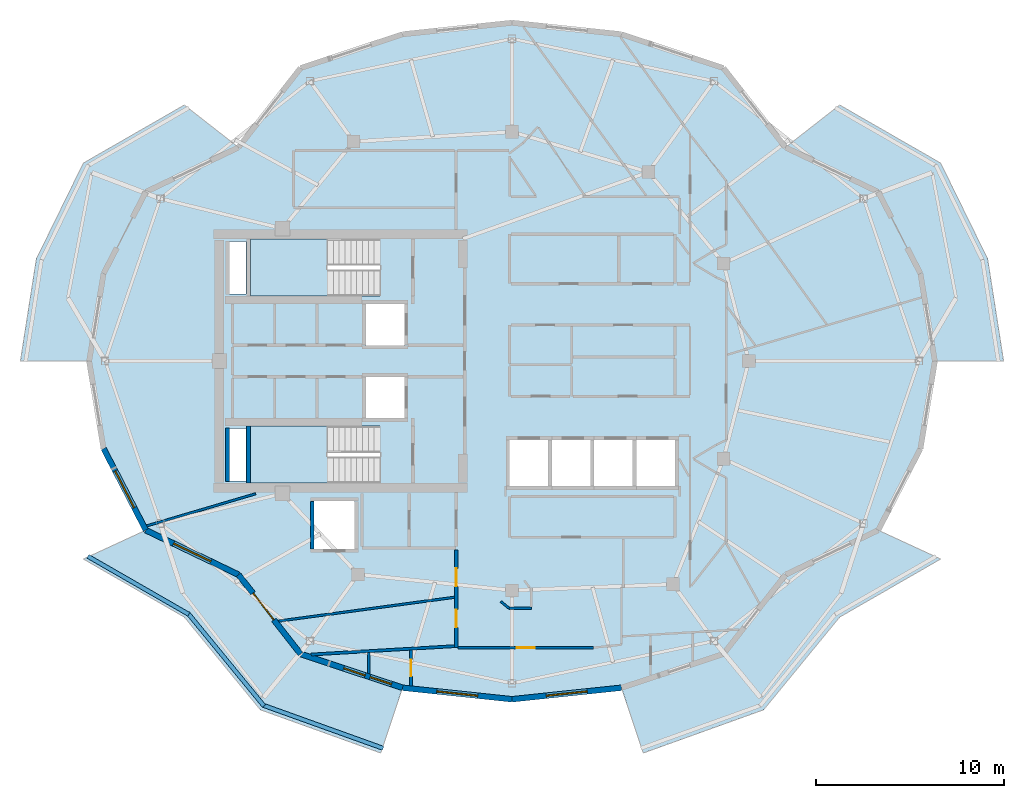
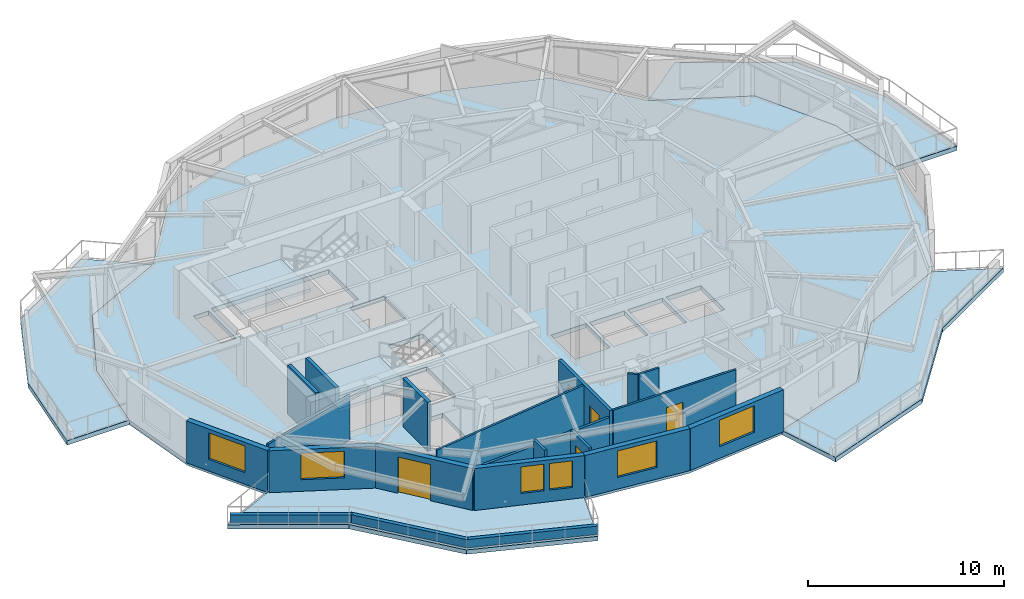
# One storey, part 3 of 11: 21 walls, 7 slabs, 6 windows, 5 doors, 11 openings, 2 elements without a shape of their own.
"""IFC4 building model written with IfcOpenShell, lengths in metres."""

from ifc_helpers import new_model, si_unit, direction, frame, frame_2d, origin, place, context, subcontext, project, spatial, polyline, rectangle, outline, extrude, material, layer, layer_set, type_object, element, fill, aggregate, save


model = new_model("IFC4")

# Units and contexts
model_context = context("Model", 3, precision=1e-05, world=origin(), true_north=direction((0.0, 1.0)))
body_context = subcontext(model_context, "Body", "Model", "MODEL_VIEW")
ifc_project = project(units=[si_unit("LENGTHUNIT", "METRE"), si_unit("AREAUNIT", "SQUARE_METRE"), si_unit("VOLUMEUNIT", "CUBIC_METRE"), si_unit("PLANEANGLEUNIT", "RADIAN"), si_unit("MASSUNIT", "GRAM", prefix="KILO")], contexts=[model_context])

# Site, building, storey
site_placement = place(None, origin())
site = spatial("IfcSite", under=ifc_project, at=site_placement, CompositionType="ELEMENT")
building_placement = place(site_placement, origin())
building = spatial("IfcBuilding", under=site, at=building_placement, Name="Kolvaren Gate Tower and Convention Centre", CompositionType="ELEMENT")
storey_placement = place(building_placement, frame((0.0, 0.0, 242.60009765625)))
storey = spatial("IfcBuildingStorey", under=building, at=storey_placement, Name="L65", CompositionType="ELEMENT", Elevation=242.60009765625)

# Slabs
ifc_material_1 = material(Name="Concrete C50/60", Category="concrete")
ifc_layer_1 = layer(ifc_material_1, 0.27001953125)
ifc_layer_set_1 = layer_set([ifc_layer_1], Name="Concrete C50/60")
slab_type_1 = type_object("IfcSlabType", Name="STR-SL-BALC-270", PredefinedType="FLOOR", material=ifc_layer_set_1)
slab_1_placement = place(storey_placement, frame((0.0, 0.0, -0.27001953125)))
element("IfcSlab", 1, at=slab_1_placement, inside=storey, type_object=slab_type_1, Name="Tower L65 Planted Balcony Terrace Slab 1 (East)", PredefinedType="FLOOR", context=body_context, shape_type="SweptSolid", body=[
    extrude(outline(polyline([(52.625, 27.0), (51.8583984375, 31.65869140625), (49.610595703125, 36.0), (44.67724609375, 38.370361328125), (47.561279296875, 40.623779296875), (52.933349609375, 37.53466796875), (55.43701171875, 32.42578125), (56.284912109375, 27.0), (52.625, 27.0)])), origin(), (0.0, 0.0, 1.0), 0.27001953125),
])
slab_2_placement = place(storey_placement, frame((0.0, 0.0, -0.27001953125)))
element("IfcSlab", 2, at=slab_2_placement, inside=storey, type_object=slab_type_1, Name="Tower L65 Planted Balcony Terrace Slab 2 (West)", PredefinedType="FLOOR", context=body_context, shape_type="SweptSolid", body=[
    extrude(outline(polyline([(15.57275390625, 38.370361328125), (10.639404296875, 36.0), (8.3916015625, 31.65869140625), (7.625, 27.0), (3.965087890625, 27.0), (4.81298828125, 32.42578125), (7.316650390625, 37.53466796875), (12.688720703125, 40.623779296875), (15.57275390625, 38.370361328125)])), origin(), (0.0, 0.0, 1.0), 0.27001953125),
])
slab_3_placement = place(storey_placement, frame((0.0, 0.0, -0.27001953125)))
element("IfcSlab", 3, at=slab_3_placement, inside=storey, type_object=slab_type_1, Name="Tower L65 Planted Balcony Terrace Slab 3 (South)", PredefinedType="FLOOR", context=body_context, shape_type="SweptSolid", body=[
    extrude(outline(polyline([(10.639404296875, 18.0), (15.57275390625, 15.629638671875), (18.875, 11.41162109375), (24.301513671875, 9.61328125), (23.13916015625, 6.142822265625), (16.733154296875, 8.443603515625), (12.688720703125, 13.376220703125), (7.316650390625, 16.46533203125), (10.639404296875, 18.0)])), origin(), (0.0, 0.0, 1.0), 0.27001953125),
])
slab_4_placement = place(storey_placement, frame((0.0, 0.0, -0.27001953125)))
element("IfcSlab", 4, at=slab_4_placement, inside=storey, type_object=slab_type_1, Name="Tower L65 Planted Balcony Terrace Slab 4 (South)", PredefinedType="FLOOR", context=body_context, shape_type="SweptSolid", body=[
    extrude(outline(polyline([(35.948486328125, 9.61328125), (41.375, 11.41162109375), (44.67724609375, 15.629638671875), (49.610595703125, 18.0), (52.933349609375, 16.46533203125), (47.561279296875, 13.376220703125), (43.516845703125, 8.443603515625), (37.11083984375, 6.142822265625), (35.948486328125, 9.61328125)])), origin(), (0.0, 0.0, 1.0), 0.27001953125),
])
ifc_material_2 = material(Name="Concrete C40/50", Category="concrete")
ifc_layer_2 = layer(ifc_material_2, 0.27001953125)
ifc_layer_set_2 = layer_set([ifc_layer_2], Name="Concrete C40/50")
slab_type_2 = type_object("IfcSlabType", Name="STR-SL-FLR-270", PredefinedType="FLOOR", material=ifc_layer_set_2)
slab_5_placement = place(storey_placement, frame((0.0, 0.0, -0.27001953125)))
element("IfcSlab", 5, at=slab_5_placement, inside=storey, type_object=slab_type_2, Name="Tower L65 Structural Floor Slab", PredefinedType="FLOOR", context=body_context, shape_type="SweptSolid", body=[
    extrude(outline(polyline([(52.625, 27.0), (51.8583984375, 31.65869140625), (49.610595703125, 36.0), (44.67724609375, 38.370361328125), (41.375, 42.58837890625), (35.948486328125, 44.38671875), (30.125, 45.0), (24.301513671875, 44.38671875), (18.875, 42.58837890625), (15.57275390625, 38.370361328125), (10.639404296875, 36.0), (8.3916015625, 31.65869140625), (7.625, 27.0), (8.3916015625, 22.34130859375), (10.639404296875, 18.0), (15.57275390625, 15.629638671875), (18.875, 11.41162109375), (24.301513671875, 9.61328125), (30.125, 9.0), (35.948486328125, 9.61328125), (41.375, 11.41162109375), (44.67724609375, 15.629638671875), (49.610595703125, 18.0), (51.8583984375, 22.34130859375), (52.625, 27.0)]), holes=[polyline([(36.75, 20.35009765625), (36.75, 22.800048828125), (38.800048828125, 22.800048828125), (38.800048828125, 20.35009765625), (36.75, 20.35009765625)]), polyline([(36.550048828125, 20.35009765625), (34.5, 20.35009765625), (34.5, 22.800048828125), (36.550048828125, 22.800048828125), (36.550048828125, 20.35009765625)]), polyline([(32.25, 20.35009765625), (32.25, 22.800048828125), (34.300048828125, 22.800048828125), (34.300048828125, 20.35009765625), (32.25, 20.35009765625)]), polyline([(30.0, 20.35009765625), (30.0, 22.800048828125), (32.050048828125, 22.800048828125), (32.050048828125, 20.35009765625), (30.0, 20.35009765625)]), polyline([(22.35009765625, 23.9599609375), (22.35009765625, 26.159912109375), (24.39990234375, 26.159912109375), (24.39990234375, 23.9599609375), (22.35009765625, 23.9599609375)]), polyline([(22.35009765625, 27.840087890625), (22.35009765625, 30.0400390625), (24.39990234375, 30.0400390625), (24.39990234375, 27.840087890625), (22.35009765625, 27.840087890625)]), polyline([(16.199951171875, 23.5400390625), (23.10009765625, 23.5400390625), (23.10009765625, 20.5), (16.199951171875, 20.5), (16.199951171875, 23.5400390625)]), polyline([(16.199951171875, 33.5), (23.10009765625, 33.5), (23.10009765625, 30.4599609375), (16.199951171875, 30.4599609375), (16.199951171875, 33.5)]), polyline([(21.75, 17.0), (19.60009765625, 17.0), (19.60009765625, 19.550048828125), (21.75, 19.550048828125), (21.75, 17.0)]), polyline([(15.080078125, 30.580078125), (15.080078125, 33.3701171875), (15.969970703125, 33.3701171875), (15.969970703125, 30.580078125), (15.080078125, 30.580078125)]), polyline([(15.969970703125, 20.6298828125), (15.080078125, 20.6298828125), (15.080078125, 23.419921875), (15.969970703125, 23.419921875), (15.969970703125, 20.6298828125)])]), origin(), (0.0, 0.0, 1.0), 0.27001953125),
])

# Stair, slab
stair_type = type_object("IfcStairType", Name="STR-STAIR-CORE", PredefinedType="HALF_TURN_STAIR", material=ifc_material_1)
stair_1_placement = place(storey_placement, origin())
stair_1 = element("IfcStair", 6, at=stair_1_placement, inside=storey, type_object=stair_type, Name="L65 Tower North Exit Stair ST-T1", PredefinedType="HALF_TURN_STAIR")
ifc_layer_3 = layer(ifc_material_1, 0.199951171875)
ifc_layer_set_3 = layer_set([ifc_layer_3], Name="Concrete C50/60")
slab_type_3 = type_object("IfcSlabType", Name="STR-SL-LAND-200", PredefinedType="LANDING", material=ifc_layer_set_3)
slab_6_placement = place(storey_placement, frame((0.0, 0.0, 1.449951171875)))
slab_6 = element("IfcSlab", 7, at=slab_6_placement, type_object=slab_type_3, Name="ST-T1 landing 1", PredefinedType="LANDING", context=body_context, shape_type="SweptSolid", body=[
    extrude(outline(polyline([(20.31005859375, 33.5), (16.199951171875, 33.5), (16.199951171875, 30.4599609375), (20.31005859375, 30.4599609375), (20.31005859375, 33.5)])), origin(), (0.0, 0.0, 1.0), 0.199951171875),
])
aggregate(stair_1, [slab_6])

stair_2_placement = place(storey_placement, origin())
stair_2 = element("IfcStair", 8, at=stair_2_placement, inside=storey, type_object=stair_type, Name="L65 Tower South Exit Stair ST-T2", PredefinedType="HALF_TURN_STAIR")
slab_7_placement = place(storey_placement, frame((0.0, 0.0, 1.449951171875)))
slab_7 = element("IfcSlab", 9, at=slab_7_placement, type_object=slab_type_3, Name="ST-T2 landing 1", PredefinedType="LANDING", context=body_context, shape_type="SweptSolid", body=[
    extrude(outline(polyline([(20.31005859375, 23.5400390625), (16.199951171875, 23.5400390625), (16.199951171875, 20.5), (20.31005859375, 20.5), (20.31005859375, 23.5400390625)])), origin(), (0.0, 0.0, 1.0), 0.199951171875),
])
aggregate(stair_2, [slab_7])

# Wall, openings, doors
ifc_material_3 = material(Name="Autoclaved Aerated Masonry Blockwork Class 4 (4.0 MPa)", Category="masonry")
ifc_layer_4 = layer(ifc_material_3, 0.179931640625)
ifc_layer_set_4 = layer_set([ifc_layer_4], Name="Autoclaved Aerated Masonry Blockwork Class 4 (4.0 MPa)")
wall_type_1 = type_object("IfcWallType", Name="ARCH-WL-COMP-180", PredefinedType="SOLIDWALL", material=ifc_layer_set_4)
wall_1_placement = place(storey_placement, frame((27.14990234375, 11.75, 0.0), z_axis=(0.0, 0.0, 1.0), x_axis=(0.0, 1.0, 0.0)))
wall_1 = element("IfcWall", 10, at=wall_1_placement, inside=storey, type_object=wall_type_1, Name="Interior Partition WL-L65-INT-014", PredefinedType="SOLIDWALL", context=body_context, shape_type="SweptSolid", body=[
    extrude(rectangle(XDim=5.2080078125, YDim=0.179931640625, at=frame_2d((2.60400390625, 0.0))), origin(), (0.0, 0.0, 1.0), 3.02978515625),
])
opening_1_placement = place(wall_1_placement, frame((3.268798828125, 0.0, 0.0)))
opening_1 = element("IfcOpeningElement", 11, at=opening_1_placement, cuts=wall_1, Name="Opening DR-01", PredefinedType="OPENING", context=body_context, shape_type="SweptSolid", body=[
    extrude(rectangle(XDim=0.949951171875, YDim=2.10009765625, at=frame_2d((0.47509765625, 1.050048828125))), frame((0.0, 0.099853515625, 0.0), z_axis=(0.0, -1.0, 0.0), x_axis=(1.0, 0.0, 0.0)), (0.0, 0.0, 1.0), 0.199951171875),
])
opening_2_placement = place(wall_1_placement, frame((1.0771484375, 0.0, 0.0)))
opening_2 = element("IfcOpeningElement", 12, at=opening_2_placement, cuts=wall_1, Name="Opening DR-01", PredefinedType="OPENING", context=body_context, shape_type="SweptSolid", body=[
    extrude(rectangle(XDim=0.949951171875, YDim=2.10009765625, at=frame_2d((0.47509765625, 1.050048828125))), frame((0.0, 0.099853515625, 0.0), z_axis=(0.0, -1.0, 0.0), x_axis=(1.0, 0.0, 0.0)), (0.0, 0.0, 1.0), 0.199951171875),
])
ifc_material_4 = material(Name="Painted Architectural Steelwork ASTM A500 Grade C 345 MPa", Category="steel")
door_type_1 = type_object("IfcDoorType", Name="ARCH-DR-RISER-950", OperationType="SINGLE_SWING_RIGHT", PredefinedType="DOOR", material=ifc_material_4)
door_1_placement = place(opening_1_placement, origin())
door_1 = element("IfcDoor", 13, at=door_1_placement, inside=storey, type_object=door_type_1, Name="Resident Private Study Door", OperationType="SINGLE_SWING_LEFT", OverallHeight=2.10009765625, OverallWidth=0.949951171875, PredefinedType="DOOR", context=body_context, shape_type="SweptSolid", body=[
    extrude(rectangle(XDim=0.949951171875, YDim=2.10009765625, at=frame_2d((0.47509765625, 1.050048828125))), frame((0.0, 0.02490234375, 0.0), z_axis=(0.0, -1.0, 0.0), x_axis=(1.0, 0.0, 0.0)), (0.0, 0.0, 1.0), 0.050048828125),
])
fill(opening_1, door_1)
door_2_placement = place(opening_2_placement, origin())
door_2 = element("IfcDoor", 14, at=door_2_placement, inside=storey, type_object=door_type_1, Name="Resident Sommelier Tasting Pantry Door", OperationType="SINGLE_SWING_RIGHT", OverallHeight=2.10009765625, OverallWidth=0.949951171875, PredefinedType="DOOR", context=body_context, shape_type="SweptSolid", body=[
    extrude(rectangle(XDim=0.949951171875, YDim=2.10009765625, at=frame_2d((0.47509765625, 1.050048828125))), frame((0.0, 0.02490234375, 0.0), z_axis=(0.0, -1.0, 0.0), x_axis=(1.0, 0.0, 0.0)), (0.0, 0.0, 1.0), 0.050048828125),
])
fill(opening_2, door_2)

# Wall, opening, door
ifc_material_5 = material(Name="Fire-Rated Acoustic Gypsum Stud Partition", Category="gypsum")
ifc_layer_5 = layer(ifc_material_5, 0.1201171875)
ifc_layer_set_5 = layer_set([ifc_layer_5], Name="Fire-Rated Acoustic Gypsum Stud Partition")
wall_type_2 = type_object("IfcWallType", Name="ARCH-WL-PART-120", PredefinedType="PARTITIONING", material=ifc_layer_set_5)
wall_2_placement = place(storey_placement, frame((27.241943359375, 11.75, 0.0), z_axis=(0.0, 0.0, 1.0), x_axis=(1.0, 0.0, 0.0)))
wall_2 = element("IfcWall", 15, at=wall_2_placement, inside=storey, type_object=wall_type_2, Name="Interior Partition WL-L65-INT-064", PredefinedType="PARTITIONING", context=body_context, shape_type="SweptSolid", body=[
    extrude(rectangle(XDim=7.22607421875, YDim=0.1201171875, at=frame_2d((3.613037109375, 0.0))), origin(), (0.0, 0.0, 1.0), 3.02978515625),
])
opening_3_placement = place(wall_2_placement, frame((3.137939453125, 0.0, 0.0)))
opening_3 = element("IfcOpeningElement", 16, at=opening_3_placement, cuts=wall_2, Name="Opening DR-01", PredefinedType="OPENING", context=body_context, shape_type="SweptSolid", body=[
    extrude(rectangle(XDim=0.949951171875, YDim=2.10009765625, at=frame_2d((0.47509765625, 1.050048828125))), frame((0.0, 0.070068359375, 0.0), z_axis=(0.0, -1.0, 0.0), x_axis=(1.0, 0.0, 0.0)), (0.0, 0.0, 1.0), 0.14013671875),
])
door_3_placement = place(opening_3_placement, origin())
door_3 = element("IfcDoor", 17, at=door_3_placement, inside=storey, type_object=door_type_1, Name="Studio Apartment (APT-L65-01) Door", OperationType="SINGLE_SWING_LEFT", OverallHeight=2.10009765625, OverallWidth=0.949951171875, PredefinedType="DOOR", context=body_context, shape_type="SweptSolid", body=[
    extrude(rectangle(XDim=0.949951171875, YDim=2.10009765625, at=frame_2d((0.47509765625, 1.050048828125))), frame((0.0, 0.02490234375, 0.0), z_axis=(0.0, -1.0, 0.0), x_axis=(1.0, 0.0, 0.0)), (0.0, 0.0, 1.0), 0.050048828125),
])
fill(opening_3, door_3)

# Walls
wall_3_placement = place(storey_placement, frame((29.9599609375, 13.85009765625, 0.0), z_axis=(0.0, 0.0, 1.0), x_axis=(1.0, 0.0, 0.0)))
element("IfcWall", 18, at=wall_3_placement, inside=storey, type_object=wall_type_2, Name="Interior Partition WL-L65-INT-066", PredefinedType="PARTITIONING", context=body_context, shape_type="SweptSolid", body=[
    extrude(rectangle(XDim=1.18994140625, YDim=0.1201171875, at=frame_2d((0.594970703125, 0.0))), origin(), (0.0, 0.0, 1.0), 3.02978515625),
])
wall_4_placement = place(storey_placement, frame((29.531005859375, 14.2060546875, 0.0), z_axis=(0.0, 0.0, 1.0), x_axis=(0.7695479554, -0.638589026166, 0.0)))
element("IfcWall", 19, at=wall_4_placement, inside=storey, type_object=wall_type_2, Name="Interior Partition WL-L65-INT-069", PredefinedType="PARTITIONING", context=body_context, shape_type="SweptSolid", body=[
    extrude(rectangle(XDim=0.557373046875, YDim=0.1201171875, at=frame_2d((0.27880859375, 0.0))), origin(), (0.0, 0.0, 1.0), 3.02978515625),
])
wall_5_placement = place(storey_placement, frame((10.691650390625, 18.229736328125, 0.0), z_axis=(0.0, 0.0, 1.0), x_axis=(0.959163130609, 0.282853475992, 0.0)))
element("IfcWall", 20, at=wall_5_placement, inside=storey, type_object=wall_type_2, Name="Interior Partition WL-L65-INT-070", PredefinedType="PARTITIONING", context=body_context, shape_type="SweptSolid", body=[
    extrude(rectangle(XDim=6.039306640625, YDim=0.1201171875, at=frame_2d((3.01953125, 0.0))), origin(), (0.0, 0.0, 1.0), 2.77001953125),
])
wall_6_placement = place(storey_placement, frame((17.697509765625, 13.162109375, 0.0), z_axis=(0.0, 0.0, 1.0), x_axis=(0.990958840374, 0.134166227808, 0.0)))
element("IfcWall", 21, at=wall_6_placement, inside=storey, type_object=wall_type_2, Name="Interior Partition WL-L65-INT-072", PredefinedType="PARTITIONING", context=body_context, shape_type="SweptSolid", body=[
    extrude(rectangle(XDim=9.446044921875, YDim=0.1201171875, at=frame_2d((4.72314453125, 0.0))), origin(), (0.0, 0.0, 1.0), 3.02978515625),
])
ifc_material_6 = material(Name="Piedmont Cream Honed Limestone Cladding", Category="masonry")
ifc_layer_6 = layer(ifc_material_6, 0.219970703125)
ifc_layer_set_6 = layer_set([ifc_layer_6], Name="Piedmont Cream Honed Limestone Cladding")
wall_type_3 = type_object("IfcWallType", Name="ARCH-WL-PLANTER-220", PredefinedType="PARAPET", material=ifc_layer_set_6)
wall_7_placement = place(storey_placement, frame((7.556884765625, 16.609375, 0.0), z_axis=(0.0, 0.0, 1.0), x_axis=(0.866901621005, -0.49847926687, 0.0)))
element("IfcWall", 22, at=wall_7_placement, inside=storey, type_object=wall_type_3, Name="Vertical-Forest Balcony Stone Planter Kerb PK-L65-3.1", PredefinedType="PARAPET", context=body_context, shape_type="SweptSolid", body=[
    extrude(rectangle(XDim=6.196533203125, YDim=0.219970703125, at=frame_2d((3.09814453125, 0.0))), origin(), (0.0, 0.0, 1.0), 0.52001953125),
])
wall_8_placement = place(storey_placement, frame((12.88232421875, 13.57861328125, 0.0), z_axis=(0.0, 0.0, 1.0), x_axis=(0.63407318032, -0.77327304492, 0.0)))
element("IfcWall", 23, at=wall_8_placement, inside=storey, type_object=wall_type_3, Name="Vertical-Forest Balcony Stone Planter Kerb PK-L65-3.2", PredefinedType="PARAPET", context=body_context, shape_type="SweptSolid", body=[
    extrude(rectangle(XDim=6.37890625, YDim=0.219970703125, at=frame_2d((3.189453125, 0.0))), origin(), (0.0, 0.0, 1.0), 0.52001953125),
])
wall_9_placement = place(storey_placement, frame((16.86181640625, 8.6923828125, 0.0), z_axis=(0.0, 0.0, 1.0), x_axis=(0.941139090914, -0.338019543152, 0.0)))
element("IfcWall", 24, at=wall_9_placement, inside=storey, type_object=wall_type_3, Name="Vertical-Forest Balcony Stone Planter Kerb PK-L65-3.3", PredefinedType="PARAPET", context=body_context, shape_type="SweptSolid", body=[
    extrude(rectangle(XDim=6.806640625, YDim=0.219970703125, at=frame_2d((3.4033203125, 0.0))), origin(), (0.0, 0.0, 1.0), 0.52001953125),
])
ifc_layer_7 = layer(ifc_material_3, 0.199951171875)
ifc_layer_set_7 = layer_set([ifc_layer_7], Name="Autoclaved Aerated Masonry Blockwork Class 4 (4.0 MPa)")
wall_type_4 = type_object("IfcWallType", Name="ARCH-WL-SHAFT-200", PredefinedType="SOLIDWALL", material=ifc_layer_set_7)
wall_10_placement = place(storey_placement, frame((19.5, 17.010009765625, 0.0), z_axis=(0.0, 0.0, 1.0), x_axis=(0.0, 1.0, 0.0)))
element("IfcWall", 25, at=wall_10_placement, inside=storey, type_object=wall_type_4, Name="Elevator SV-01 L65 Fire Shaft Wall W", PredefinedType="SOLIDWALL", context=body_context, shape_type="SweptSolid", body=[
    extrude(rectangle(XDim=2.530029296875, YDim=0.199951171875, at=frame_2d((1.26513671875, 0.0))), origin(), (0.0, 0.0, 1.0), 3.02978515625),
])
wall_11_placement = place(storey_placement, frame((14.989990234375, 20.60009765625, 0.0), z_axis=(0.0, 0.0, 1.0), x_axis=(0.0, 1.0, 0.0)))
element("IfcWall", 26, at=wall_11_placement, inside=storey, type_object=wall_type_4, Name="Vertical Shaft MPR L65 EI-120 Enclosure Wall W", PredefinedType="SOLIDWALL", context=body_context, shape_type="SweptSolid", body=[
    extrude(rectangle(XDim=2.849853515625, YDim=0.199951171875, at=frame_2d((1.4248046875, 0.0))), origin(), (0.0, 0.0, 1.0), 3.02978515625),
])

# Wall, opening, window
ifc_layer_8 = layer(ifc_material_6, 0.300048828125)
ifc_layer_set_8 = layer_set([ifc_layer_8], Name="Piedmont Cream Honed Limestone Cladding")
wall_type_5 = type_object("IfcWallType", Name="ARCH-WL-STONE-300", PredefinedType="SOLIDWALL", material=ifc_layer_set_8)
wall_12_placement = place(storey_placement, frame((8.3916015625, 22.34130859375, 0.0), z_axis=(0.0, 0.0, 1.0), x_axis=(0.459793771602, -0.888025724625, 0.0)))
wall_12 = element("IfcWall", 27, at=wall_12_placement, inside=storey, type_object=wall_type_5, Name="Tower L65 Honed Stone Spandrel Wall EW-13", PredefinedType="SOLIDWALL", context=body_context, shape_type="SweptSolid", body=[
    extrude(rectangle(XDim=4.888671875, YDim=0.300048828125, at=frame_2d((2.4443359375, 0.0))), origin(), (0.0, 0.0, 1.0), 2.60498046875),
])
opening_4_placement = place(wall_12_placement, frame((1.343994140625, 0.0, 0.719970703125)))
opening_4 = element("IfcOpeningElement", 28, at=opening_4_placement, cuts=wall_12, Name="Opening W-03", PredefinedType="OPENING", context=body_context, shape_type="SweptSolid", body=[
    extrude(rectangle(XDim=2.199951171875, YDim=1.64990234375, at=frame_2d((1.10009765625, 0.824951171875))), frame((0.0, 0.159912109375, 0.0), z_axis=(0.0, -1.0, 0.0), x_axis=(1.0, 0.0, 0.0)), (0.0, 0.0, 1.0), 0.320068359375),
])
ifc_material_7 = material(Name="Low-E Triple Insulated Glazing Unit 44 mm", Category="glass")
window_type_1 = type_object("IfcWindowType", Name="ARCH-WN-RES-2200", PartitioningType="SINGLE_PANEL", PredefinedType="WINDOW", material=ifc_material_7)
window_1_placement = place(opening_4_placement, origin())
window_1 = element("IfcWindow", 29, at=window_1_placement, inside=storey, type_object=window_type_1, Name="Tower L65 Punched Stone Facade Window W-13", OverallHeight=1.64990234375, OverallWidth=2.199951171875, PartitioningType="SINGLE_PANEL", PredefinedType="WINDOW", context=body_context, shape_type="SweptSolid", body=[
    extrude(rectangle(XDim=2.199951171875, YDim=1.64990234375, at=frame_2d((1.10009765625, 0.824951171875))), frame((0.0, 0.030029296875, 0.0), z_axis=(0.0, -1.0, 0.0), x_axis=(1.0, 0.0, 0.0)), (0.0, 0.0, 1.0), 0.06005859375),
])
fill(opening_4, window_1)

wall_13_placement = place(storey_placement, frame((10.639404296875, 18.0, 0.0), z_axis=(0.0, 0.0, 1.0), x_axis=(0.901355238351, -0.433080517106, 0.0)))
wall_13 = element("IfcWall", 30, at=wall_13_placement, inside=storey, type_object=wall_type_5, Name="Tower L65 Honed Stone Spandrel Wall EW-14", PredefinedType="SOLIDWALL", context=body_context, shape_type="SweptSolid", body=[
    extrude(rectangle(XDim=5.47314453125, YDim=0.300048828125, at=frame_2d((2.736572265625, 0.0))), origin(), (0.0, 0.0, 1.0), 2.60498046875),
])
opening_5_placement = place(wall_13_placement, frame((1.636962890625, 0.0, 0.719970703125)))
opening_5 = element("IfcOpeningElement", 31, at=opening_5_placement, cuts=wall_13, Name="Opening W-03", PredefinedType="OPENING", context=body_context, shape_type="SweptSolid", body=[
    extrude(rectangle(XDim=2.199951171875, YDim=1.64990234375, at=frame_2d((1.10009765625, 0.824951171875))), frame((0.0, 0.159912109375, 0.0), z_axis=(0.0, -1.0, 0.0), x_axis=(1.0, 0.0, 0.0)), (0.0, 0.0, 1.0), 0.320068359375),
])
window_2_placement = place(opening_5_placement, origin())
window_2 = element("IfcWindow", 32, at=window_2_placement, inside=storey, type_object=window_type_1, Name="Tower L65 Punched Stone Facade Window W-14", OverallHeight=1.64990234375, OverallWidth=2.199951171875, PartitioningType="SINGLE_PANEL", PredefinedType="WINDOW", context=body_context, shape_type="SweptSolid", body=[
    extrude(rectangle(XDim=2.199951171875, YDim=1.64990234375, at=frame_2d((1.10009765625, 0.824951171875))), frame((0.0, 0.030029296875, 0.0), z_axis=(0.0, -1.0, 0.0), x_axis=(1.0, 0.0, 0.0)), (0.0, 0.0, 1.0), 0.06005859375),
])
fill(opening_5, window_2)

# Wall, opening, door
wall_14_placement = place(storey_placement, frame((15.57275390625, 15.629638671875, 0.0), z_axis=(0.0, 0.0, 1.0), x_axis=(0.61644588519, -0.787397276241, 0.0)))
wall_14 = element("IfcWall", 33, at=wall_14_placement, inside=storey, type_object=wall_type_5, Name="Tower L65 Honed Stone Spandrel Wall EW-15", PredefinedType="SOLIDWALL", context=body_context, shape_type="SweptSolid", body=[
    extrude(rectangle(XDim=5.35693359375, YDim=0.300048828125, at=frame_2d((2.678466796875, 0.0))), origin(), (0.0, 0.0, 1.0), 2.60498046875),
])
opening_6_placement = place(wall_14_placement, frame((1.25, 0.0, 0.0)))
opening_6 = element("IfcOpeningElement", 34, at=opening_6_placement, cuts=wall_14, Name="Opening DB-01", PredefinedType="OPENING", context=body_context, shape_type="SweptSolid", body=[
    extrude(rectangle(XDim=1.800048828125, YDim=2.25, at=frame_2d((0.89990234375, 1.125))), frame((0.0, 0.159912109375, 0.0), z_axis=(0.0, -1.0, 0.0), x_axis=(1.0, 0.0, 0.0)), (0.0, 0.0, 1.0), 0.320068359375),
])
ifc_material_8 = material(Name="Anodized Architectural Aluminium Alloy 6063-T6", Category="aluminium")
door_type_2 = type_object("IfcDoorType", Name="ARCH-DR-BALC-1800", OperationType="SLIDING_TO_LEFT", PredefinedType="DOOR", material=ifc_material_8)
door_4_placement = place(opening_6_placement, frame((1.800048828125, 0.0, 0.0), z_axis=(0.0, 0.0, 1.0), x_axis=(-1.0, 0.0, 0.0)))
door_4 = element("IfcDoor", 35, at=door_4_placement, inside=storey, type_object=door_type_2, Name="Planted Sky Terrace Access Door DB-L65-15", OperationType="SLIDING_TO_LEFT", OverallHeight=2.25, OverallWidth=1.800048828125, PredefinedType="DOOR", context=body_context, shape_type="SweptSolid", body=[
    extrude(rectangle(XDim=1.800048828125, YDim=2.25, at=frame_2d((0.89990234375, 1.125))), frame((0.0, 0.02490234375, 0.0), z_axis=(0.0, -1.0, 0.0), x_axis=(1.0, 0.0, 0.0)), (0.0, 0.0, 1.0), 0.050048828125),
])
fill(opening_6, door_4)

# Wall, openings, windows
wall_15_placement = place(storey_placement, frame((18.875, 11.41162109375, 0.0), z_axis=(0.0, 0.0, 1.0), x_axis=(0.949232769585, -0.314574552605, 0.0)))
wall_15 = element("IfcWall", 36, at=wall_15_placement, inside=storey, type_object=wall_type_5, Name="Tower L65 Honed Stone Spandrel Wall EW-16", PredefinedType="SOLIDWALL", context=body_context, shape_type="SweptSolid", body=[
    extrude(rectangle(XDim=5.716796875, YDim=0.300048828125, at=frame_2d((2.8583984375, 0.0))), origin(), (0.0, 0.0, 1.0), 2.60498046875),
])
opening_7_placement = place(wall_15_placement, frame((2.41748046875, 0.0, 0.719970703125)))
opening_7 = element("IfcOpeningElement", 37, at=opening_7_placement, cuts=wall_15, Name="Opening W-04", PredefinedType="OPENING", context=body_context, shape_type="SweptSolid", body=[
    extrude(rectangle(XDim=1.199951171875, YDim=1.64990234375, at=frame_2d((0.60009765625, 0.824951171875))), frame((0.0, 0.159912109375, 0.0), z_axis=(0.0, -1.0, 0.0), x_axis=(1.0, 0.0, 0.0)), (0.0, 0.0, 1.0), 0.320068359375),
])
opening_8_placement = place(wall_15_placement, frame((3.8984375, 0.0, 0.719970703125)))
opening_8 = element("IfcOpeningElement", 38, at=opening_8_placement, cuts=wall_15, Name="Opening W-04", PredefinedType="OPENING", context=body_context, shape_type="SweptSolid", body=[
    extrude(rectangle(XDim=1.199951171875, YDim=1.64990234375, at=frame_2d((0.60009765625, 0.824951171875))), frame((0.0, 0.159912109375, 0.0), z_axis=(0.0, -1.0, 0.0), x_axis=(1.0, 0.0, 0.0)), (0.0, 0.0, 1.0), 0.320068359375),
])
window_type_2 = type_object("IfcWindowType", Name="ARCH-WN-NARROW-1200", PartitioningType="SINGLE_PANEL", PredefinedType="WINDOW", material=ifc_material_7)
window_3_placement = place(opening_7_placement, origin())
window_3 = element("IfcWindow", 39, at=window_3_placement, inside=storey, type_object=window_type_2, Name="Tower L65 Punched Stone Facade Window W-16", OverallHeight=1.64990234375, OverallWidth=1.199951171875, PartitioningType="SINGLE_PANEL", PredefinedType="WINDOW", context=body_context, shape_type="SweptSolid", body=[
    extrude(rectangle(XDim=1.199951171875, YDim=1.64990234375, at=frame_2d((0.60009765625, 0.824951171875))), frame((0.0, 0.030029296875, 0.0), z_axis=(0.0, -1.0, 0.0), x_axis=(1.0, 0.0, 0.0)), (0.0, 0.0, 1.0), 0.06005859375),
])
fill(opening_7, window_3)
window_4_placement = place(opening_8_placement, origin())
window_4 = element("IfcWindow", 40, at=window_4_placement, inside=storey, type_object=window_type_2, Name="Tower L65 Punched Stone Facade Window W-16B", OverallHeight=1.64990234375, OverallWidth=1.199951171875, PartitioningType="SINGLE_PANEL", PredefinedType="WINDOW", context=body_context, shape_type="SweptSolid", body=[
    extrude(rectangle(XDim=1.199951171875, YDim=1.64990234375, at=frame_2d((0.60009765625, 0.824951171875))), frame((0.0, 0.030029296875, 0.0), z_axis=(0.0, -1.0, 0.0), x_axis=(1.0, 0.0, 0.0)), (0.0, 0.0, 1.0), 0.06005859375),
])
fill(opening_8, window_4)

# Wall, opening, window
wall_16_placement = place(storey_placement, frame((24.301513671875, 9.61328125, 0.0), z_axis=(0.0, 0.0, 1.0), x_axis=(0.994500425783, -0.10473253132, 0.0)))
wall_16 = element("IfcWall", 41, at=wall_16_placement, inside=storey, type_object=wall_type_5, Name="Tower L65 Honed Stone Spandrel Wall EW-17", PredefinedType="SOLIDWALL", context=body_context, shape_type="SweptSolid", body=[
    extrude(rectangle(XDim=5.855712890625, YDim=0.300048828125, at=frame_2d((2.927734375, 0.0))), origin(), (0.0, 0.0, 1.0), 2.60498046875),
])
opening_9_placement = place(wall_16_placement, frame((1.827880859375, 0.0, 0.719970703125)))
opening_9 = element("IfcOpeningElement", 42, at=opening_9_placement, cuts=wall_16, Name="Opening W-03", PredefinedType="OPENING", context=body_context, shape_type="SweptSolid", body=[
    extrude(rectangle(XDim=2.199951171875, YDim=1.64990234375, at=frame_2d((1.10009765625, 0.824951171875))), frame((0.0, 0.159912109375, 0.0), z_axis=(0.0, -1.0, 0.0), x_axis=(1.0, 0.0, 0.0)), (0.0, 0.0, 1.0), 0.320068359375),
])
window_5_placement = place(opening_9_placement, origin())
window_5 = element("IfcWindow", 43, at=window_5_placement, inside=storey, type_object=window_type_1, Name="Tower L65 Punched Stone Facade Window W-17", OverallHeight=1.64990234375, OverallWidth=2.199951171875, PartitioningType="SINGLE_PANEL", PredefinedType="WINDOW", context=body_context, shape_type="SweptSolid", body=[
    extrude(rectangle(XDim=2.199951171875, YDim=1.64990234375, at=frame_2d((1.10009765625, 0.824951171875))), frame((0.0, 0.030029296875, 0.0), z_axis=(0.0, -1.0, 0.0), x_axis=(1.0, 0.0, 0.0)), (0.0, 0.0, 1.0), 0.06005859375),
])
fill(opening_9, window_5)

wall_17_placement = place(storey_placement, frame((30.125, 9.0, 0.0), z_axis=(0.0, 0.0, 1.0), x_axis=(0.994500425783, 0.10473253132, 0.0)))
wall_17 = element("IfcWall", 44, at=wall_17_placement, inside=storey, type_object=wall_type_5, Name="Tower L65 Honed Stone Spandrel Wall EW-18", PredefinedType="SOLIDWALL", context=body_context, shape_type="SweptSolid", body=[
    extrude(rectangle(XDim=5.855712890625, YDim=0.300048828125, at=frame_2d((2.927734375, 0.0))), origin(), (0.0, 0.0, 1.0), 2.60498046875),
])
opening_10_placement = place(wall_17_placement, frame((1.827880859375, 0.0, 0.719970703125)))
opening_10 = element("IfcOpeningElement", 45, at=opening_10_placement, cuts=wall_17, Name="Opening W-03", PredefinedType="OPENING", context=body_context, shape_type="SweptSolid", body=[
    extrude(rectangle(XDim=2.199951171875, YDim=1.64990234375, at=frame_2d((1.10009765625, 0.824951171875))), frame((0.0, 0.159912109375, 0.0), z_axis=(0.0, -1.0, 0.0), x_axis=(1.0, 0.0, 0.0)), (0.0, 0.0, 1.0), 0.320068359375),
])
window_6_placement = place(opening_10_placement, origin())
window_6 = element("IfcWindow", 46, at=window_6_placement, inside=storey, type_object=window_type_1, Name="Tower L65 Punched Stone Facade Window W-18", OverallHeight=1.64990234375, OverallWidth=2.199951171875, PartitioningType="SINGLE_PANEL", PredefinedType="WINDOW", context=body_context, shape_type="SweptSolid", body=[
    extrude(rectangle(XDim=2.199951171875, YDim=1.64990234375, at=frame_2d((1.10009765625, 0.824951171875))), frame((0.0, 0.030029296875, 0.0), z_axis=(0.0, -1.0, 0.0), x_axis=(1.0, 0.0, 0.0)), (0.0, 0.0, 1.0), 0.06005859375),
])
fill(opening_10, window_6)

# Wall
ifc_material_9 = material(Name="Moisture-Resistant Cement-Board Acoustic Partition", Category="gypsum")
ifc_layer_9 = layer(ifc_material_9, 0.14990234375)
ifc_layer_set_9 = layer_set([ifc_layer_9], Name="Moisture-Resistant Cement-Board Acoustic Partition")
wall_type_6 = type_object("IfcWallType", Name="ARCH-WL-WET-150", PredefinedType="PARTITIONING", material=ifc_layer_set_9)
wall_18_placement = place(storey_placement, frame((19.440185546875, 11.38427734375, 0.0), z_axis=(0.0, 0.0, 1.0), x_axis=(0.998303266402, 0.058228758288, 0.0)))
element("IfcWall", 47, at=wall_18_placement, inside=storey, type_object=wall_type_6, Name="Interior Partition WL-L65-INT-073", PredefinedType="PARTITIONING", context=body_context, shape_type="SweptSolid", body=[
    extrude(rectangle(XDim=7.630859375, YDim=0.14990234375, at=frame_2d((3.8154296875, 0.0))), origin(), (0.0, 0.0, 1.0), 2.60498046875),
])

# Wall, opening, door
wall_19_placement = place(storey_placement, frame((24.75, 9.718994140625, 0.0), z_axis=(0.0, 0.0, 1.0), x_axis=(0.0, 1.0, 0.0)))
wall_19 = element("IfcWall", 48, at=wall_19_placement, inside=storey, type_object=wall_type_6, Name="Interior Partition WL-L65-INT-075", PredefinedType="PARTITIONING", context=body_context, shape_type="SweptSolid", body=[
    extrude(rectangle(XDim=1.89794921875, YDim=0.14990234375, at=frame_2d((0.948974609375, 0.0))), origin(), (0.0, 0.0, 1.0), 2.77001953125),
])
opening_11_placement = place(wall_19_placement, frame((0.4990234375, 0.0, 0.0)))
opening_11 = element("IfcOpeningElement", 49, at=opening_11_placement, cuts=wall_19, Name="Opening DW-01", PredefinedType="OPENING", context=body_context, shape_type="SweptSolid", body=[
    extrude(rectangle(XDim=0.89990234375, YDim=2.10009765625, at=frame_2d((0.449951171875, 1.050048828125))), frame((0.0, 0.0849609375, 0.0), z_axis=(0.0, -1.0, 0.0), x_axis=(1.0, 0.0, 0.0)), (0.0, 0.0, 1.0), 0.169921875),
])
ifc_material_10 = material(Name="FSC Andean Oak Engineered Veneer Door Leaf", Category="wood")
door_type_3 = type_object("IfcDoorType", Name="ARCH-DR-WC-900", OperationType="SINGLE_SWING_RIGHT", PredefinedType="DOOR", material=ifc_material_10)
door_5_placement = place(opening_11_placement, origin())
door_5 = element("IfcDoor", 50, at=door_5_placement, inside=storey, type_object=door_type_3, Name="Apartment Bathroom (APT-L65-01) Door", OperationType="SINGLE_SWING_LEFT", OverallHeight=2.10009765625, OverallWidth=0.89990234375, PredefinedType="DOOR", context=body_context, shape_type="SweptSolid", body=[
    extrude(rectangle(XDim=0.89990234375, YDim=2.10009765625, at=frame_2d((0.449951171875, 1.050048828125))), frame((0.0, 0.02490234375, 0.0), z_axis=(0.0, -1.0, 0.0), x_axis=(1.0, 0.0, 0.0)), (0.0, 0.0, 1.0), 0.050048828125),
])
fill(opening_11, door_5)

# Walls
wall_20_placement = place(storey_placement, frame((22.5, 10.370361328125, 0.0), z_axis=(0.0, 0.0, 1.0), x_axis=(0.0, 1.0, 0.0)))
element("IfcWall", 51, at=wall_20_placement, inside=storey, type_object=wall_type_6, Name="Interior Partition WL-L65-INT-078", PredefinedType="PARTITIONING", context=body_context, shape_type="SweptSolid", body=[
    extrude(rectangle(XDim=1.115234375, YDim=0.14990234375, at=frame_2d((0.5576171875, 0.0))), origin(), (0.0, 0.0, 1.0), 3.02978515625),
])
ifc_layer_10 = layer(ifc_material_1, 0.199951171875)
ifc_layer_set_10 = layer_set([ifc_layer_10], Name="Concrete C50/60")
wall_type_7 = type_object("IfcWallType", Name="STR-WL-SHAFT-200", PredefinedType="SHEAR", material=ifc_layer_set_10)
wall_21_placement = place(storey_placement, frame((16.10009765625, 20.501953125, -0.27001953125), z_axis=(0.0, 0.0, 1.0), x_axis=(0.0, 1.0, 0.0)))
element("IfcWall", 52, at=wall_21_placement, inside=storey, type_object=wall_type_7, Name="Tower South Exit Stair ST-T2 L65 Structural Shear Enclosure Wall FAR", PredefinedType="SHEAR", context=body_context, shape_type="SweptSolid", body=[
    extrude(rectangle(XDim=3.0361328125, YDim=0.199951171875, at=frame_2d((1.51806640625, 0.0))), origin(), (0.0, 0.0, 1.0), 3.2998046875),
])

save(model, "model.ifc")
